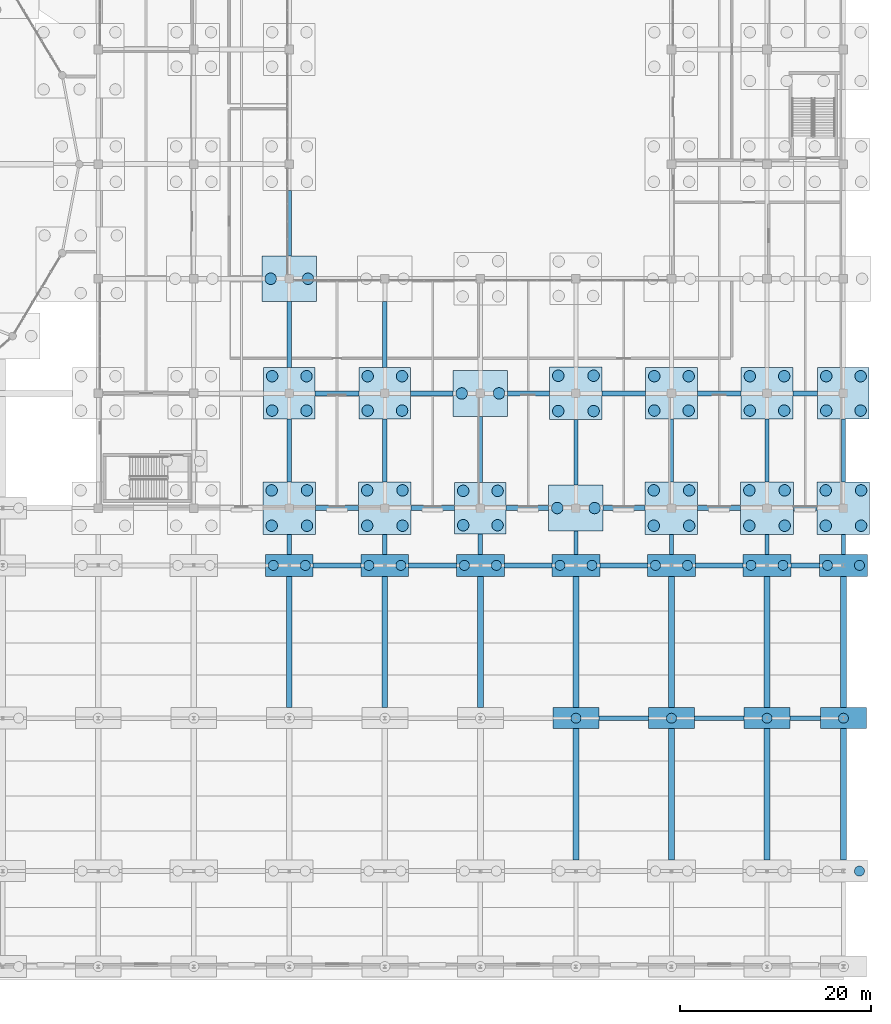
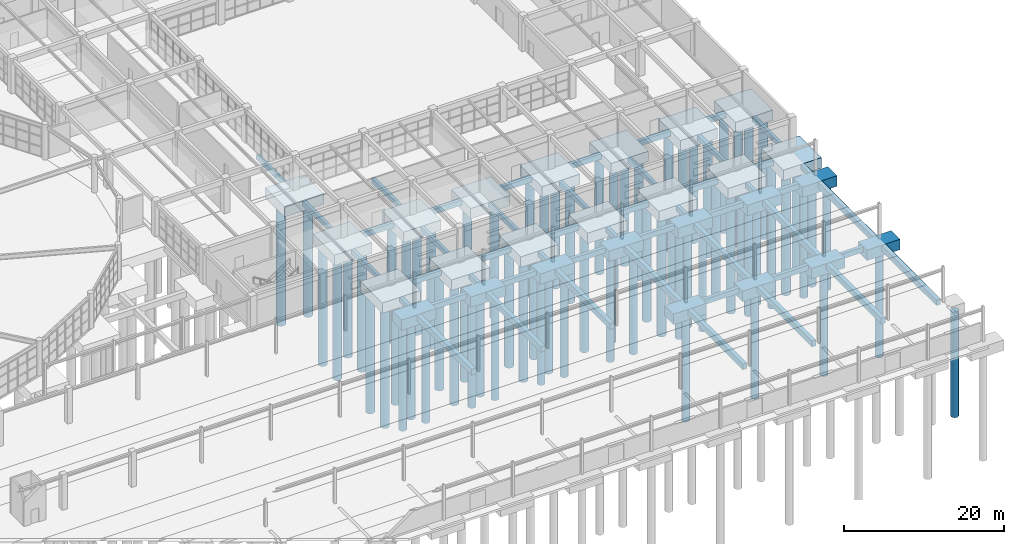
# One storey, part 6 of 99: 75 footings, 73 piles.
"""IFC4 building model written with IfcOpenShell, lengths in metres."""

from ifc_helpers import new_model, si_unit, direction, frame, origin, origin_2d, place, context, subcontext, project, spatial, rectangle, circle, extrude, material, material_profile, profile_set, type_object, element, save


model = new_model("IFC4")

# Units and contexts
model_context = context("Model", 3, precision=1e-05, world=origin(), true_north=direction((0.0, 1.0)))
body_context = subcontext(model_context, "Body", "Model", "MODEL_VIEW")
ifc_project = project(units=[si_unit("LENGTHUNIT", "METRE"), si_unit("AREAUNIT", "SQUARE_METRE"), si_unit("VOLUMEUNIT", "CUBIC_METRE"), si_unit("PLANEANGLEUNIT", "RADIAN"), si_unit("MASSUNIT", "GRAM", prefix="KILO")], contexts=[model_context])

# Site, building, storey
site_placement = place(None, origin())
site = spatial("IfcSite", under=ifc_project, at=site_placement, CompositionType="ELEMENT")
building_placement = place(site_placement, origin())
building = spatial("IfcBuilding", under=site, at=building_placement, Name="Kivolera Central Railway Station", CompositionType="ELEMENT")
storey_placement = place(building_placement, origin())
storey = spatial("IfcBuildingStorey", under=building, at=storey_placement, Name="L00", CompositionType="ELEMENT", Elevation=0.0)

# Footings
ifc_material = material(Name="Concrete C35/45", Category="concrete")
footing_type_1 = type_object("IfcFootingType", Name="FB-450x750", PredefinedType="FOOTING_BEAM", material=ifc_material)
footing_1_placement = place(storey_placement, frame((138.0, 50.199951171875, -1.10009765625), z_axis=(0.0, 0.0, 1.0), x_axis=(1.0, 0.0, 0.0)))
element("IfcFooting", 1, at=footing_1_placement, inside=storey, type_object=footing_type_1, Name="Foundation Tie Beam FDN-FBY-240", PredefinedType="FOOTING_BEAM", context=body_context, shape_type="SweptSolid", body=[
    extrude(rectangle(XDim=0.449951171875, YDim=2.10009765625, at=origin_2d()), origin(), (0.0, 0.0, 1.0), 0.75),
])
footing_2_placement = place(storey_placement, frame((138.0, 60.02490234375, -1.10009765625), z_axis=(0.0, 0.0, 1.0), x_axis=(1.0, 0.0, 0.0)))
element("IfcFooting", 2, at=footing_2_placement, inside=storey, type_object=footing_type_1, Name="Foundation Tie Beam FDN-FBY-241", PredefinedType="FOOTING_BEAM", context=body_context, shape_type="SweptSolid", body=[
    extrude(rectangle(XDim=0.449951171875, YDim=6.550048828125, at=origin_2d()), origin(), (0.0, 0.0, 1.0), 0.75),
])
footing_3_placement = place(storey_placement, frame((138.0, 72.14990234375, -1.10009765625), z_axis=(0.0, 0.0, 1.0), x_axis=(1.0, 0.0, 0.0)))
element("IfcFooting", 3, at=footing_3_placement, inside=storey, type_object=footing_type_1, Name="Foundation Tie Beam FDN-FBY-242", PredefinedType="FOOTING_BEAM", context=body_context, shape_type="SweptSolid", body=[
    extrude(rectangle(XDim=0.449951171875, YDim=6.89990234375, at=origin_2d()), origin(), (0.0, 0.0, 1.0), 0.75),
])
footing_4_placement = place(storey_placement, frame((138.0, 83.824951171875, -1.10009765625), z_axis=(0.0, 0.0, 1.0), x_axis=(1.0, 0.0, 0.0)))
element("IfcFooting", 4, at=footing_4_placement, inside=storey, type_object=footing_type_1, Name="Foundation Tie Beam FDN-FBY-243", PredefinedType="FOOTING_BEAM", context=body_context, shape_type="SweptSolid", body=[
    extrude(rectangle(XDim=0.449951171875, YDim=6.85009765625, at=origin_2d()), origin(), (0.0, 0.0, 1.0), 0.75),
])
footing_5_placement = place(storey_placement, frame((148.0, 50.199951171875, -1.10009765625), z_axis=(0.0, 0.0, 1.0), x_axis=(1.0, 0.0, 0.0)))
element("IfcFooting", 5, at=footing_5_placement, inside=storey, type_object=footing_type_1, Name="Foundation Tie Beam FDN-FBY-251", PredefinedType="FOOTING_BEAM", context=body_context, shape_type="SweptSolid", body=[
    extrude(rectangle(XDim=0.449951171875, YDim=2.10009765625, at=origin_2d()), origin(), (0.0, 0.0, 1.0), 0.75),
])
footing_6_placement = place(storey_placement, frame((148.0, 60.02490234375, -1.10009765625), z_axis=(0.0, 0.0, 1.0), x_axis=(1.0, 0.0, 0.0)))
element("IfcFooting", 6, at=footing_6_placement, inside=storey, type_object=footing_type_1, Name="Foundation Tie Beam FDN-FBY-252", PredefinedType="FOOTING_BEAM", context=body_context, shape_type="SweptSolid", body=[
    extrude(rectangle(XDim=0.449951171875, YDim=6.550048828125, at=origin_2d()), origin(), (0.0, 0.0, 1.0), 0.75),
])
footing_7_placement = place(storey_placement, frame((148.0, 72.14990234375, -1.10009765625), z_axis=(0.0, 0.0, 1.0), x_axis=(1.0, 0.0, 0.0)))
element("IfcFooting", 7, at=footing_7_placement, inside=storey, type_object=footing_type_1, Name="Foundation Tie Beam FDN-FBY-253", PredefinedType="FOOTING_BEAM", context=body_context, shape_type="SweptSolid", body=[
    extrude(rectangle(XDim=0.449951171875, YDim=6.89990234375, at=origin_2d()), origin(), (0.0, 0.0, 1.0), 0.75),
])
footing_8_placement = place(storey_placement, frame((158.0, 50.22509765625, -1.10009765625), z_axis=(0.0, 0.0, 1.0), x_axis=(1.0, 0.0, 0.0)))
element("IfcFooting", 8, at=footing_8_placement, inside=storey, type_object=footing_type_1, Name="Foundation Tie Beam FDN-FBY-259", PredefinedType="FOOTING_BEAM", context=body_context, shape_type="SweptSolid", body=[
    extrude(rectangle(XDim=0.449951171875, YDim=2.14990234375, at=origin_2d()), origin(), (0.0, 0.0, 1.0), 0.75),
])
footing_9_placement = place(storey_placement, frame((158.0, 60.14990234375, -1.10009765625), z_axis=(0.0, 0.0, 1.0), x_axis=(1.0, 0.0, 0.0)))
element("IfcFooting", 9, at=footing_9_placement, inside=storey, type_object=footing_type_1, Name="Foundation Tie Beam FDN-FBY-260", PredefinedType="FOOTING_BEAM", context=body_context, shape_type="SweptSolid", body=[
    extrude(rectangle(XDim=0.449951171875, YDim=6.89990234375, at=origin_2d()), origin(), (0.0, 0.0, 1.0), 0.75),
])
footing_10_placement = place(storey_placement, frame((168.0, 50.375, -1.10009765625), z_axis=(0.0, 0.0, 1.0), x_axis=(1.0, 0.0, 0.0)))
element("IfcFooting", 10, at=footing_10_placement, inside=storey, type_object=footing_type_1, Name="Foundation Tie Beam FDN-FBY-267", PredefinedType="FOOTING_BEAM", context=body_context, shape_type="SweptSolid", body=[
    extrude(rectangle(XDim=0.449951171875, YDim=2.449951171875, at=origin_2d()), origin(), (0.0, 0.0, 1.0), 0.75),
])
footing_11_placement = place(storey_placement, frame((168.0, 59.824951171875, -1.10009765625), z_axis=(0.0, 0.0, 1.0), x_axis=(1.0, 0.0, 0.0)))
element("IfcFooting", 11, at=footing_11_placement, inside=storey, type_object=footing_type_1, Name="Foundation Tie Beam FDN-FBY-268", PredefinedType="FOOTING_BEAM", context=body_context, shape_type="SweptSolid", body=[
    extrude(rectangle(XDim=0.449951171875, YDim=6.85009765625, at=origin_2d()), origin(), (0.0, 0.0, 1.0), 0.75),
])
footing_12_placement = place(storey_placement, frame((178.0, 50.199951171875, -1.10009765625), z_axis=(0.0, 0.0, 1.0), x_axis=(1.0, 0.0, 0.0)))
element("IfcFooting", 12, at=footing_12_placement, inside=storey, type_object=footing_type_1, Name="Foundation Tie Beam FDN-FBY-275", PredefinedType="FOOTING_BEAM", context=body_context, shape_type="SweptSolid", body=[
    extrude(rectangle(XDim=0.449951171875, YDim=2.10009765625, at=origin_2d()), origin(), (0.0, 0.0, 1.0), 0.75),
])
footing_13_placement = place(storey_placement, frame((178.0, 60.02490234375, -1.10009765625), z_axis=(0.0, 0.0, 1.0), x_axis=(1.0, 0.0, 0.0)))
element("IfcFooting", 13, at=footing_13_placement, inside=storey, type_object=footing_type_1, Name="Foundation Tie Beam FDN-FBY-276", PredefinedType="FOOTING_BEAM", context=body_context, shape_type="SweptSolid", body=[
    extrude(rectangle(XDim=0.449951171875, YDim=6.550048828125, at=origin_2d()), origin(), (0.0, 0.0, 1.0), 0.75),
])
footing_14_placement = place(storey_placement, frame((188.0, 50.199951171875, -1.10009765625), z_axis=(0.0, 0.0, 1.0), x_axis=(1.0, 0.0, 0.0)))
element("IfcFooting", 14, at=footing_14_placement, inside=storey, type_object=footing_type_1, Name="Foundation Tie Beam FDN-FBY-285", PredefinedType="FOOTING_BEAM", context=body_context, shape_type="SweptSolid", body=[
    extrude(rectangle(XDim=0.449951171875, YDim=2.10009765625, at=origin_2d()), origin(), (0.0, 0.0, 1.0), 0.75),
])
footing_15_placement = place(storey_placement, frame((188.0, 60.02490234375, -1.10009765625), z_axis=(0.0, 0.0, 1.0), x_axis=(1.0, 0.0, 0.0)))
element("IfcFooting", 15, at=footing_15_placement, inside=storey, type_object=footing_type_1, Name="Foundation Tie Beam FDN-FBY-286", PredefinedType="FOOTING_BEAM", context=body_context, shape_type="SweptSolid", body=[
    extrude(rectangle(XDim=0.449951171875, YDim=6.550048828125, at=origin_2d()), origin(), (0.0, 0.0, 1.0), 0.75),
])
footing_16_placement = place(storey_placement, frame((196.0, 50.199951171875, -1.10009765625), z_axis=(0.0, 0.0, 1.0), x_axis=(1.0, 0.0, 0.0)))
element("IfcFooting", 16, at=footing_16_placement, inside=storey, type_object=footing_type_1, Name="Foundation Tie Beam FDN-FBY-296", PredefinedType="FOOTING_BEAM", context=body_context, shape_type="SweptSolid", body=[
    extrude(rectangle(XDim=0.449951171875, YDim=2.10009765625, at=origin_2d()), origin(), (0.0, 0.0, 1.0), 0.75),
])
footing_17_placement = place(storey_placement, frame((196.0, 60.02490234375, -1.10009765625), z_axis=(0.0, 0.0, 1.0), x_axis=(1.0, 0.0, 0.0)))
element("IfcFooting", 17, at=footing_17_placement, inside=storey, type_object=footing_type_1, Name="Foundation Tie Beam FDN-FBY-297", PredefinedType="FOOTING_BEAM", context=body_context, shape_type="SweptSolid", body=[
    extrude(rectangle(XDim=0.449951171875, YDim=6.550048828125, at=origin_2d()), origin(), (0.0, 0.0, 1.0), 0.75),
])
footing_type_2 = type_object("IfcFootingType", Name="FB-500x800", PredefinedType="FOOTING_BEAM", material=ifc_material)
for number, where, z_axis, x_axis, name in (
    (18, (173.0, 32.0, -1.16015625), (0.0, 0.0, 1.0), (1.0, 0.0, 0.0), "Foundation Tie Beam FDN-FBX-053"),
    (19, (183.0, 32.0, -1.16015625), (0.0, 0.0, 1.0), (1.0, 0.0, 0.0), "Foundation Tie Beam FDN-FBX-054"),
):
    element("IfcFooting", number, at=place(storey_placement, frame(where, z_axis=z_axis, x_axis=x_axis)), inside=storey, type_object=footing_type_2, Name=name, PredefinedType="FOOTING_BEAM", context=body_context, shape_type="SweptSolid", body=[
        extrude(rectangle(XDim=5.199951171875, YDim=0.5, at=origin_2d()), origin(), (0.0, 0.0, 1.0), 0.800048828125),
    ])
footing_18_placement = place(storey_placement, frame((192.0, 32.0, -1.16015625), z_axis=(0.0, 0.0, 1.0), x_axis=(1.0, 0.0, 0.0)))
element("IfcFooting", 20, at=footing_18_placement, inside=storey, type_object=footing_type_2, Name="Foundation Tie Beam FDN-FBX-055", PredefinedType="FOOTING_BEAM", context=body_context, shape_type="SweptSolid", body=[
    extrude(rectangle(XDim=3.199951171875, YDim=0.5, at=origin_2d()), origin(), (0.0, 0.0, 1.0), 0.800048828125),
])
for number, where, z_axis, x_axis, name in (
    (21, (143.0, 48.0, -1.16015625), (0.0, 0.0, 1.0), (1.0, 0.0, 0.0), "Foundation Tie Beam FDN-FBX-069"),
    (22, (153.0, 48.0, -1.16015625), (0.0, 0.0, 1.0), (1.0, 0.0, 0.0), "Foundation Tie Beam FDN-FBX-070"),
    (23, (163.0, 48.0, -1.16015625), (0.0, 0.0, 1.0), (1.0, 0.0, 0.0), "Foundation Tie Beam FDN-FBX-071"),
    (24, (173.0, 48.0, -1.16015625), (0.0, 0.0, 1.0), (1.0, 0.0, 0.0), "Foundation Tie Beam FDN-FBX-072"),
    (25, (183.0, 48.0, -1.16015625), (0.0, 0.0, 1.0), (1.0, 0.0, 0.0), "Foundation Tie Beam FDN-FBX-073"),
):
    element("IfcFooting", number, at=place(storey_placement, frame(where, z_axis=z_axis, x_axis=x_axis)), inside=storey, type_object=footing_type_2, Name=name, PredefinedType="FOOTING_BEAM", context=body_context, shape_type="SweptSolid", body=[
        extrude(rectangle(XDim=5.0, YDim=0.5, at=origin_2d()), origin(), (0.0, 0.0, 1.0), 0.800048828125),
    ])
footing_19_placement = place(storey_placement, frame((192.0, 48.0, -1.16015625), z_axis=(0.0, 0.0, 1.0), x_axis=(1.0, 0.0, 0.0)))
element("IfcFooting", 26, at=footing_19_placement, inside=storey, type_object=footing_type_2, Name="Foundation Tie Beam FDN-FBX-074", PredefinedType="FOOTING_BEAM", context=body_context, shape_type="SweptSolid", body=[
    extrude(rectangle(XDim=3.0, YDim=0.5, at=origin_2d()), origin(), (0.0, 0.0, 1.0), 0.800048828125),
])
footing_20_placement = place(storey_placement, frame((143.0, 54.0, -1.14990234375), z_axis=(0.0, 0.0, 1.0), x_axis=(1.0, 0.0, 0.0)))
element("IfcFooting", 27, at=footing_20_placement, inside=storey, type_object=footing_type_2, Name="Foundation Tie Beam FDN-FBX-088", PredefinedType="FOOTING_BEAM", context=body_context, shape_type="SweptSolid", body=[
    extrude(rectangle(XDim=4.5, YDim=0.5, at=origin_2d()), origin(), (0.0, 0.0, 1.0), 0.800048828125),
])
footing_21_placement = place(storey_placement, frame((153.02490234375, 54.0, -1.14990234375), z_axis=(0.0, 0.0, 1.0), x_axis=(1.0, 0.0, 0.0)))
element("IfcFooting", 28, at=footing_21_placement, inside=storey, type_object=footing_type_2, Name="Foundation Tie Beam FDN-FBX-089", PredefinedType="FOOTING_BEAM", context=body_context, shape_type="SweptSolid", body=[
    extrude(rectangle(XDim=4.550048828125, YDim=0.5, at=origin_2d()), origin(), (0.0, 0.0, 1.0), 0.800048828125),
])
footing_22_placement = place(storey_placement, frame((162.925048828125, 54.0, -1.14990234375), z_axis=(0.0, 0.0, 1.0), x_axis=(1.0, 0.0, 0.0)))
element("IfcFooting", 29, at=footing_22_placement, inside=storey, type_object=footing_type_2, Name="Foundation Tie Beam FDN-FBX-090", PredefinedType="FOOTING_BEAM", context=body_context, shape_type="SweptSolid", body=[
    extrude(rectangle(XDim=4.449951171875, YDim=0.5, at=origin_2d()), origin(), (0.0, 0.0, 1.0), 0.800048828125),
])
footing_23_placement = place(storey_placement, frame((173.050048828125, 54.0, -1.14990234375), z_axis=(0.0, 0.0, 1.0), x_axis=(1.0, 0.0, 0.0)))
element("IfcFooting", 30, at=footing_23_placement, inside=storey, type_object=footing_type_2, Name="Foundation Tie Beam FDN-FBX-091", PredefinedType="FOOTING_BEAM", context=body_context, shape_type="SweptSolid", body=[
    extrude(rectangle(XDim=4.39990234375, YDim=0.5, at=origin_2d()), origin(), (0.0, 0.0, 1.0), 0.800048828125),
])
footing_24_placement = place(storey_placement, frame((183.0, 54.0, -1.14990234375), z_axis=(0.0, 0.0, 1.0), x_axis=(1.0, 0.0, 0.0)))
element("IfcFooting", 31, at=footing_24_placement, inside=storey, type_object=footing_type_2, Name="Foundation Tie Beam FDN-FBX-092", PredefinedType="FOOTING_BEAM", context=body_context, shape_type="SweptSolid", body=[
    extrude(rectangle(XDim=4.5, YDim=0.5, at=origin_2d()), origin(), (0.0, 0.0, 1.0), 0.800048828125),
])
footing_25_placement = place(storey_placement, frame((192.0, 54.0, -1.14990234375), z_axis=(0.0, 0.0, 1.0), x_axis=(1.0, 0.0, 0.0)))
element("IfcFooting", 32, at=footing_25_placement, inside=storey, type_object=footing_type_2, Name="Foundation Tie Beam FDN-FBX-093", PredefinedType="FOOTING_BEAM", context=body_context, shape_type="SweptSolid", body=[
    extrude(rectangle(XDim=2.5, YDim=0.5, at=origin_2d()), origin(), (0.0, 0.0, 1.0), 0.800048828125),
])
footing_26_placement = place(storey_placement, frame((143.0, 66.0, -1.14990234375), z_axis=(0.0, 0.0, 1.0), x_axis=(1.0, 0.0, 0.0)))
element("IfcFooting", 33, at=footing_26_placement, inside=storey, type_object=footing_type_2, Name="Foundation Tie Beam FDN-FBX-097", PredefinedType="FOOTING_BEAM", context=body_context, shape_type="SweptSolid", body=[
    extrude(rectangle(XDim=4.60009765625, YDim=0.5, at=origin_2d()), origin(), (0.0, 0.0, 1.0), 0.800048828125),
])
footing_27_placement = place(storey_placement, frame((152.925048828125, 66.0, -1.14990234375), z_axis=(0.0, 0.0, 1.0), x_axis=(1.0, 0.0, 0.0)))
element("IfcFooting", 34, at=footing_27_placement, inside=storey, type_object=footing_type_2, Name="Foundation Tie Beam FDN-FBX-098", PredefinedType="FOOTING_BEAM", context=body_context, shape_type="SweptSolid", body=[
    extrude(rectangle(XDim=4.449951171875, YDim=0.5, at=origin_2d()), origin(), (0.0, 0.0, 1.0), 0.800048828125),
])
footing_28_placement = place(storey_placement, frame((163.050048828125, 66.0, -1.14990234375), z_axis=(0.0, 0.0, 1.0), x_axis=(1.0, 0.0, 0.0)))
element("IfcFooting", 35, at=footing_28_placement, inside=storey, type_object=footing_type_2, Name="Foundation Tie Beam FDN-FBX-099", PredefinedType="FOOTING_BEAM", context=body_context, shape_type="SweptSolid", body=[
    extrude(rectangle(XDim=4.39990234375, YDim=0.5, at=origin_2d()), origin(), (0.0, 0.0, 1.0), 0.800048828125),
])
footing_29_placement = place(storey_placement, frame((173.02490234375, 66.0, -1.14990234375), z_axis=(0.0, 0.0, 1.0), x_axis=(1.0, 0.0, 0.0)))
element("IfcFooting", 36, at=footing_29_placement, inside=storey, type_object=footing_type_2, Name="Foundation Tie Beam FDN-FBX-100", PredefinedType="FOOTING_BEAM", context=body_context, shape_type="SweptSolid", body=[
    extrude(rectangle(XDim=4.550048828125, YDim=0.5, at=origin_2d()), origin(), (0.0, 0.0, 1.0), 0.800048828125),
])
footing_30_placement = place(storey_placement, frame((183.0, 66.0, -1.14990234375), z_axis=(0.0, 0.0, 1.0), x_axis=(1.0, 0.0, 0.0)))
element("IfcFooting", 37, at=footing_30_placement, inside=storey, type_object=footing_type_2, Name="Foundation Tie Beam FDN-FBX-101", PredefinedType="FOOTING_BEAM", context=body_context, shape_type="SweptSolid", body=[
    extrude(rectangle(XDim=4.60009765625, YDim=0.5, at=origin_2d()), origin(), (0.0, 0.0, 1.0), 0.800048828125),
])
footing_31_placement = place(storey_placement, frame((192.0, 66.0, -1.14990234375), z_axis=(0.0, 0.0, 1.0), x_axis=(1.0, 0.0, 0.0)))
element("IfcFooting", 38, at=footing_31_placement, inside=storey, type_object=footing_type_2, Name="Foundation Tie Beam FDN-FBX-102", PredefinedType="FOOTING_BEAM", context=body_context, shape_type="SweptSolid", body=[
    extrude(rectangle(XDim=2.60009765625, YDim=0.5, at=origin_2d()), origin(), (0.0, 0.0, 1.0), 0.800048828125),
])
footing_type_3 = type_object("IfcFootingType", Name="FB-600x900", PredefinedType="FOOTING_BEAM", material=ifc_material)
for number, where, z_axis, x_axis, name in (
    (39, (138.0, 39.97509765625, -1.260009765625), (0.0, 0.0, 1.0), (1.0, 0.0, 0.0), "Foundation Tie Beam FDN-FBY-239"),
    (40, (148.0, 39.97509765625, -1.260009765625), (0.0, 0.0, 1.0), (1.0, 0.0, 0.0), "Foundation Tie Beam FDN-FBY-250"),
    (41, (158.0, 39.97509765625, -1.260009765625), (0.0, 0.0, 1.0), (1.0, 0.0, 0.0), "Foundation Tie Beam FDN-FBY-258"),
    (42, (168.0, 24.02490234375, -1.260009765625), (0.0, 0.0, 1.0), (1.0, 0.0, 0.0), "Foundation Tie Beam FDN-FBY-265"),
    (43, (168.0, 39.97509765625, -1.260009765625), (0.0, 0.0, 1.0), (1.0, 0.0, 0.0), "Foundation Tie Beam FDN-FBY-266"),
    (44, (178.0, 24.02490234375, -1.260009765625), (0.0, 0.0, 1.0), (1.0, 0.0, 0.0), "Foundation Tie Beam FDN-FBY-273"),
    (45, (178.0, 39.97509765625, -1.260009765625), (0.0, 0.0, 1.0), (1.0, 0.0, 0.0), "Foundation Tie Beam FDN-FBY-274"),
    (46, (188.0, 24.02490234375, -1.260009765625), (0.0, 0.0, 1.0), (1.0, 0.0, 0.0), "Foundation Tie Beam FDN-FBY-283"),
    (47, (188.0, 39.97509765625, -1.260009765625), (0.0, 0.0, 1.0), (1.0, 0.0, 0.0), "Foundation Tie Beam FDN-FBY-284"),
    (48, (196.0, 24.02490234375, -1.260009765625), (0.0, 0.0, 1.0), (1.0, 0.0, 0.0), "Foundation Tie Beam FDN-FBY-294"),
    (49, (196.0, 39.97509765625, -1.260009765625), (0.0, 0.0, 1.0), (1.0, 0.0, 0.0), "Foundation Tie Beam FDN-FBY-295"),
):
    element("IfcFooting", number, at=place(storey_placement, frame(where, z_axis=z_axis, x_axis=x_axis)), inside=storey, type_object=footing_type_3, Name=name, PredefinedType="FOOTING_BEAM", context=body_context, shape_type="SweptSolid", body=[
        extrude(rectangle(XDim=0.60009765625, YDim=13.75, at=origin_2d()), origin(), (0.0, 0.0, 1.0), 0.89990234375),
    ])
footing_type_4 = type_object("IfcFootingType", Name="PC-4800x2200", PredefinedType="PILE_CAP", material=ifc_material)
for number, where, z_axis, x_axis, name in (
    (50, (168.0, 32.0, -1.9599609375), (0.0, 0.0, 1.0), (1.0, 0.0, 0.0), "Pile Cap FDN-PC-151"),
    (51, (178.0, 32.0, -1.9599609375), (0.0, 0.0, 1.0), (1.0, 0.0, 0.0), "Pile Cap FDN-PC-155"),
    (52, (188.0, 32.0, -1.9599609375), (0.0, 0.0, 1.0), (1.0, 0.0, 0.0), "Pile Cap FDN-PC-159"),
    (53, (196.0, 32.0, -1.9599609375), (0.0, 0.0, 1.0), (1.0, 0.0, 0.0), "Pile Cap FDN-PC-163"),
):
    element("IfcFooting", number, at=place(storey_placement, frame(where, z_axis=z_axis, x_axis=x_axis)), inside=storey, type_object=footing_type_4, Name=name, PredefinedType="PILE_CAP", context=body_context, shape_type="SweptSolid", body=[
        extrude(rectangle(XDim=4.800048828125, YDim=2.199951171875, at=origin_2d()), origin(), (0.0, 0.0, 1.0), 1.60009765625),
    ])
footing_type_5 = type_object("IfcFootingType", Name="PC-5000x2300", PredefinedType="PILE_CAP", material=ifc_material)
for number, where, z_axis, x_axis, name in (
    (54, (138.0, 48.0, -1.9599609375), (0.0, 0.0, 1.0), (1.0, 0.0, 0.0), "Pile Cap FDN-PC-140"),
    (55, (148.0, 48.0, -1.9599609375), (0.0, 0.0, 1.0), (1.0, 0.0, 0.0), "Pile Cap FDN-PC-144"),
    (56, (158.0, 48.0, -1.9599609375), (0.0, 0.0, 1.0), (1.0, 0.0, 0.0), "Pile Cap FDN-PC-148"),
    (57, (168.0, 48.0, -1.9599609375), (0.0, 0.0, 1.0), (1.0, 0.0, 0.0), "Pile Cap FDN-PC-152"),
    (58, (178.0, 48.0, -1.9599609375), (0.0, 0.0, 1.0), (1.0, 0.0, 0.0), "Pile Cap FDN-PC-156"),
    (59, (188.0, 48.0, -1.9599609375), (0.0, 0.0, 1.0), (1.0, 0.0, 0.0), "Pile Cap FDN-PC-160"),
    (60, (196.0, 48.0, -1.9599609375), (0.0, 0.0, 1.0), (1.0, 0.0, 0.0), "Pile Cap FDN-PC-164"),
):
    element("IfcFooting", number, at=place(storey_placement, frame(where, z_axis=z_axis, x_axis=x_axis)), inside=storey, type_object=footing_type_5, Name=name, PredefinedType="PILE_CAP", context=body_context, shape_type="SweptSolid", body=[
        extrude(rectangle(XDim=5.0, YDim=2.300048828125, at=origin_2d()), origin(), (0.0, 0.0, 1.0), 1.60009765625),
    ])
footing_type_6 = type_object("IfcFootingType", Name="PC-5400x5400", PredefinedType="PILE_CAP", material=ifc_material)
for number, where, z_axis, x_axis, name in (
    (61, (138.0, 66.0, -1.949951171875), (0.0, 0.0, 1.0), (1.0, 0.0, 0.0), "Pile Cap FDN-PC-019"),
    (62, (148.0, 66.0, -1.949951171875), (0.0, 0.0, 1.0), (1.0, 0.0, 0.0), "Pile Cap FDN-PC-026"),
    (63, (158.0, 54.0, -1.949951171875), (0.0, 0.0, 1.0), (1.0, 0.0, 0.0), "Pile Cap FDN-PC-032"),
    (64, (178.0, 66.0, -1.949951171875), (0.0, 0.0, 1.0), (1.0, 0.0, 0.0), "Pile Cap FDN-PC-044"),
    (65, (188.0, 66.0, -1.949951171875), (0.0, 0.0, 1.0), (1.0, 0.0, 0.0), "Pile Cap FDN-PC-053"),
    (66, (196.0, 66.0, -1.949951171875), (0.0, 0.0, 1.0), (1.0, 0.0, 0.0), "Pile Cap FDN-PC-061"),
):
    element("IfcFooting", number, at=place(storey_placement, frame(where, z_axis=z_axis, x_axis=x_axis)), inside=storey, type_object=footing_type_6, Name=name, PredefinedType="PILE_CAP", context=body_context, shape_type="SweptSolid", body=[
        extrude(rectangle(XDim=5.39990234375, YDim=5.39990234375, at=origin_2d()), origin(), (0.0, 0.0, 1.0), 1.60009765625),
    ])
footing_type_7 = type_object("IfcFootingType", Name="PC-5500x5500", PredefinedType="PILE_CAP", material=ifc_material)
for number, where, z_axis, x_axis, name in (
    (67, (138.0, 54.0, -1.949951171875), (0.0, 0.0, 1.0), (1.0, 0.0, 0.0), "Pile Cap FDN-PC-018"),
    (68, (148.0, 54.0, -1.949951171875), (0.0, 0.0, 1.0), (1.0, 0.0, 0.0), "Pile Cap FDN-PC-025"),
    (69, (168.0, 66.0, -1.949951171875), (0.0, 0.0, 1.0), (1.0, 0.0, 0.0), "Pile Cap FDN-PC-039"),
    (70, (178.0, 54.0, -1.949951171875), (0.0, 0.0, 1.0), (1.0, 0.0, 0.0), "Pile Cap FDN-PC-043"),
    (71, (188.0, 54.0, -1.949951171875), (0.0, 0.0, 1.0), (1.0, 0.0, 0.0), "Pile Cap FDN-PC-052"),
    (72, (196.0, 54.0, -1.949951171875), (0.0, 0.0, 1.0), (1.0, 0.0, 0.0), "Pile Cap FDN-PC-060"),
):
    element("IfcFooting", number, at=place(storey_placement, frame(where, z_axis=z_axis, x_axis=x_axis)), inside=storey, type_object=footing_type_7, Name=name, PredefinedType="PILE_CAP", context=body_context, shape_type="SweptSolid", body=[
        extrude(rectangle(XDim=5.5, YDim=5.5, at=origin_2d()), origin(), (0.0, 0.0, 1.0), 1.60009765625),
    ])
footing_type_8 = type_object("IfcFootingType", Name="PC-5700x4800", PredefinedType="PILE_CAP", material=ifc_material)
for number, where, z_axis, x_axis, name in (
    (73, (138.0, 78.0, -1.949951171875), (0.0, 0.0, 1.0), (1.0, 0.0, 0.0), "Pile Cap FDN-PC-020"),
    (74, (158.0, 66.0, -1.949951171875), (0.0, 0.0, 1.0), (1.0, 0.0, 0.0), "Pile Cap FDN-PC-033"),
    (75, (168.0, 54.0, -1.949951171875), (0.0, 0.0, 1.0), (1.0, 0.0, 0.0), "Pile Cap FDN-PC-038"),
):
    element("IfcFooting", number, at=place(storey_placement, frame(where, z_axis=z_axis, x_axis=x_axis)), inside=storey, type_object=footing_type_8, Name=name, PredefinedType="PILE_CAP", context=body_context, shape_type="SweptSolid", body=[
        extrude(rectangle(XDim=5.699951171875, YDim=4.800048828125, at=origin_2d()), origin(), (0.0, 0.0, 1.0), 1.60009765625),
    ])

# Piles
ifc_material_profile_1 = material_profile(ifc_material, circle(Radius=0.52490234375, at=origin_2d()), Name="PILE D1050")
ifc_profile_set_1 = profile_set([ifc_material_profile_1], Name="Concrete C35/45")
pile_type_1 = type_object("IfcPileType", Name="PILE-1050", PredefinedType="BORED", material=ifc_profile_set_1)
for number, where, z_axis, x_axis, name in (
    (76, (136.324951171875, 48.0, -1.860107421875), (0.0, 0.0, -1.0), (1.0, 0.0, 0.0), "Bored Pile FDN-PC-140-P01"),
    (77, (139.675048828125, 48.0, -1.860107421875), (0.0, 0.0, -1.0), (1.0, 0.0, 0.0), "Bored Pile FDN-PC-140-P02"),
    (78, (146.324951171875, 48.0, -1.860107421875), (0.0, 0.0, -1.0), (1.0, 0.0, 0.0), "Bored Pile FDN-PC-144-P01"),
    (79, (149.675048828125, 48.0, -1.860107421875), (0.0, 0.0, -1.0), (1.0, 0.0, 0.0), "Bored Pile FDN-PC-144-P02"),
    (80, (156.324951171875, 48.0, -1.860107421875), (0.0, 0.0, -1.0), (1.0, 0.0, 0.0), "Bored Pile FDN-PC-148-P01"),
    (81, (159.675048828125, 48.0, -1.860107421875), (0.0, 0.0, -1.0), (1.0, 0.0, 0.0), "Bored Pile FDN-PC-148-P02"),
    (82, (168.0, 32.0, -1.860107421875), (0.0, 0.0, -1.0), (1.0, 0.0, 0.0), "Bored Pile FDN-PC-151-P01"),
    (83, (166.324951171875, 48.0, -1.860107421875), (0.0, 0.0, -1.0), (1.0, 0.0, 0.0), "Bored Pile FDN-PC-152-P01"),
    (84, (169.675048828125, 48.0, -1.860107421875), (0.0, 0.0, -1.0), (1.0, 0.0, 0.0), "Bored Pile FDN-PC-152-P02"),
    (85, (178.0, 32.0, -1.860107421875), (0.0, 0.0, -1.0), (1.0, 0.0, 0.0), "Bored Pile FDN-PC-155-P01"),
    (86, (176.324951171875, 48.0, -1.860107421875), (0.0, 0.0, -1.0), (1.0, 0.0, 0.0), "Bored Pile FDN-PC-156-P01"),
    (87, (179.675048828125, 48.0, -1.860107421875), (0.0, 0.0, -1.0), (1.0, 0.0, 0.0), "Bored Pile FDN-PC-156-P02"),
    (88, (188.0, 32.0, -1.860107421875), (0.0, 0.0, -1.0), (1.0, 0.0, 0.0), "Bored Pile FDN-PC-159-P01"),
    (89, (186.324951171875, 48.0, -1.860107421875), (0.0, 0.0, -1.0), (1.0, 0.0, 0.0), "Bored Pile FDN-PC-160-P01"),
    (90, (189.675048828125, 48.0, -1.860107421875), (0.0, 0.0, -1.0), (1.0, 0.0, 0.0), "Bored Pile FDN-PC-160-P02"),
    (91, (197.675048828125, 16.0, -1.860107421875), (0.0, 0.0, -1.0), (1.0, 0.0, 0.0), "Bored Pile FDN-PC-162-P02"),
    (92, (196.0, 32.0, -1.860107421875), (0.0, 0.0, -1.0), (1.0, 0.0, 0.0), "Bored Pile FDN-PC-163-P01"),
    (93, (194.324951171875, 48.0, -1.860107421875), (0.0, 0.0, -1.0), (1.0, 0.0, 0.0), "Bored Pile FDN-PC-164-P01"),
    (94, (197.675048828125, 48.0, -1.860107421875), (0.0, 0.0, -1.0), (1.0, 0.0, 0.0), "Bored Pile FDN-PC-164-P02"),
):
    element("IfcPile", number, at=place(storey_placement, frame(where, z_axis=z_axis, x_axis=x_axis)), inside=storey, type_object=pile_type_1, Name=name, PredefinedType="BORED", context=body_context, shape_type="SweptSolid", body=[
        extrude(circle(Radius=0.52490234375, at=origin_2d()), origin(), (0.0, 0.0, 1.0), 16.139892578125),
    ])
ifc_material_profile_2 = material_profile(ifc_material, circle(Radius=0.60009765625, at=origin_2d()), Name="PILE D1200")
ifc_profile_set_2 = profile_set([ifc_material_profile_2], Name="Concrete C35/45")
pile_type_2 = type_object("IfcPileType", Name="PILE-1200", PredefinedType="BORED", material=ifc_profile_set_2)
for number, where, z_axis, x_axis, name in (
    (95, (136.14990234375, 52.14990234375, -1.85009765625), (0.0, 0.0, -1.0), (1.0, 0.0, 0.0), "Bored Pile FDN-PC-018-P01"),
    (96, (136.14990234375, 55.85009765625, -1.85009765625), (0.0, 0.0, -1.0), (1.0, 0.0, 0.0), "Bored Pile FDN-PC-018-P02"),
    (97, (139.85009765625, 52.14990234375, -1.85009765625), (0.0, 0.0, -1.0), (1.0, 0.0, 0.0), "Bored Pile FDN-PC-018-P03"),
    (98, (139.85009765625, 55.85009765625, -1.85009765625), (0.0, 0.0, -1.0), (1.0, 0.0, 0.0), "Bored Pile FDN-PC-018-P04"),
    (99, (136.199951171875, 64.199951171875, -1.85009765625), (0.0, 0.0, -1.0), (1.0, 0.0, 0.0), "Bored Pile FDN-PC-019-P01"),
    (100, (136.199951171875, 67.800048828125, -1.85009765625), (0.0, 0.0, -1.0), (1.0, 0.0, 0.0), "Bored Pile FDN-PC-019-P02"),
    (101, (139.800048828125, 64.199951171875, -1.85009765625), (0.0, 0.0, -1.0), (1.0, 0.0, 0.0), "Bored Pile FDN-PC-019-P03"),
    (102, (139.800048828125, 67.800048828125, -1.85009765625), (0.0, 0.0, -1.0), (1.0, 0.0, 0.0), "Bored Pile FDN-PC-019-P04"),
    (103, (136.050048828125, 78.0, -1.85009765625), (0.0, 0.0, -1.0), (1.0, 0.0, 0.0), "Bored Pile FDN-PC-020-P01"),
    (104, (139.949951171875, 78.0, -1.85009765625), (0.0, 0.0, -1.0), (1.0, 0.0, 0.0), "Bored Pile FDN-PC-020-P02"),
    (105, (146.14990234375, 52.14990234375, -1.85009765625), (0.0, 0.0, -1.0), (1.0, 0.0, 0.0), "Bored Pile FDN-PC-025-P01"),
    (106, (146.14990234375, 55.85009765625, -1.85009765625), (0.0, 0.0, -1.0), (1.0, 0.0, 0.0), "Bored Pile FDN-PC-025-P02"),
    (107, (149.85009765625, 52.14990234375, -1.85009765625), (0.0, 0.0, -1.0), (1.0, 0.0, 0.0), "Bored Pile FDN-PC-025-P03"),
    (108, (149.85009765625, 55.85009765625, -1.85009765625), (0.0, 0.0, -1.0), (1.0, 0.0, 0.0), "Bored Pile FDN-PC-025-P04"),
    (109, (146.199951171875, 64.199951171875, -1.85009765625), (0.0, 0.0, -1.0), (1.0, 0.0, 0.0), "Bored Pile FDN-PC-026-P01"),
    (110, (146.199951171875, 67.800048828125, -1.85009765625), (0.0, 0.0, -1.0), (1.0, 0.0, 0.0), "Bored Pile FDN-PC-026-P02"),
    (111, (149.800048828125, 64.199951171875, -1.85009765625), (0.0, 0.0, -1.0), (1.0, 0.0, 0.0), "Bored Pile FDN-PC-026-P03"),
    (112, (149.800048828125, 67.800048828125, -1.85009765625), (0.0, 0.0, -1.0), (1.0, 0.0, 0.0), "Bored Pile FDN-PC-026-P04"),
    (113, (156.199951171875, 52.199951171875, -1.85009765625), (0.0, 0.0, -1.0), (1.0, 0.0, 0.0), "Bored Pile FDN-PC-032-P01"),
    (114, (156.199951171875, 55.800048828125, -1.85009765625), (0.0, 0.0, -1.0), (1.0, 0.0, 0.0), "Bored Pile FDN-PC-032-P02"),
    (115, (159.800048828125, 52.199951171875, -1.85009765625), (0.0, 0.0, -1.0), (1.0, 0.0, 0.0), "Bored Pile FDN-PC-032-P03"),
    (116, (159.800048828125, 55.800048828125, -1.85009765625), (0.0, 0.0, -1.0), (1.0, 0.0, 0.0), "Bored Pile FDN-PC-032-P04"),
    (117, (156.050048828125, 66.0, -1.85009765625), (0.0, 0.0, -1.0), (1.0, 0.0, 0.0), "Bored Pile FDN-PC-033-P01"),
    (118, (159.949951171875, 66.0, -1.85009765625), (0.0, 0.0, -1.0), (1.0, 0.0, 0.0), "Bored Pile FDN-PC-033-P02"),
    (119, (166.050048828125, 54.0, -1.85009765625), (0.0, 0.0, -1.0), (1.0, 0.0, 0.0), "Bored Pile FDN-PC-038-P01"),
    (120, (169.949951171875, 54.0, -1.85009765625), (0.0, 0.0, -1.0), (1.0, 0.0, 0.0), "Bored Pile FDN-PC-038-P02"),
    (121, (166.14990234375, 64.14990234375, -1.85009765625), (0.0, 0.0, -1.0), (1.0, 0.0, 0.0), "Bored Pile FDN-PC-039-P01"),
    (122, (166.14990234375, 67.85009765625, -1.85009765625), (0.0, 0.0, -1.0), (1.0, 0.0, 0.0), "Bored Pile FDN-PC-039-P02"),
    (123, (169.85009765625, 64.14990234375, -1.85009765625), (0.0, 0.0, -1.0), (1.0, 0.0, 0.0), "Bored Pile FDN-PC-039-P03"),
    (124, (169.85009765625, 67.85009765625, -1.85009765625), (0.0, 0.0, -1.0), (1.0, 0.0, 0.0), "Bored Pile FDN-PC-039-P04"),
    (125, (176.14990234375, 52.14990234375, -1.85009765625), (0.0, 0.0, -1.0), (1.0, 0.0, 0.0), "Bored Pile FDN-PC-043-P01"),
    (126, (176.14990234375, 55.85009765625, -1.85009765625), (0.0, 0.0, -1.0), (1.0, 0.0, 0.0), "Bored Pile FDN-PC-043-P02"),
    (127, (179.85009765625, 52.14990234375, -1.85009765625), (0.0, 0.0, -1.0), (1.0, 0.0, 0.0), "Bored Pile FDN-PC-043-P03"),
    (128, (179.85009765625, 55.85009765625, -1.85009765625), (0.0, 0.0, -1.0), (1.0, 0.0, 0.0), "Bored Pile FDN-PC-043-P04"),
    (129, (176.199951171875, 64.199951171875, -1.85009765625), (0.0, 0.0, -1.0), (1.0, 0.0, 0.0), "Bored Pile FDN-PC-044-P01"),
    (130, (176.199951171875, 67.800048828125, -1.85009765625), (0.0, 0.0, -1.0), (1.0, 0.0, 0.0), "Bored Pile FDN-PC-044-P02"),
    (131, (179.800048828125, 64.199951171875, -1.85009765625), (0.0, 0.0, -1.0), (1.0, 0.0, 0.0), "Bored Pile FDN-PC-044-P03"),
    (132, (179.800048828125, 67.800048828125, -1.85009765625), (0.0, 0.0, -1.0), (1.0, 0.0, 0.0), "Bored Pile FDN-PC-044-P04"),
    (133, (186.14990234375, 52.14990234375, -1.85009765625), (0.0, 0.0, -1.0), (1.0, 0.0, 0.0), "Bored Pile FDN-PC-052-P01"),
    (134, (186.14990234375, 55.85009765625, -1.85009765625), (0.0, 0.0, -1.0), (1.0, 0.0, 0.0), "Bored Pile FDN-PC-052-P02"),
    (135, (189.85009765625, 52.14990234375, -1.85009765625), (0.0, 0.0, -1.0), (1.0, 0.0, 0.0), "Bored Pile FDN-PC-052-P03"),
    (136, (189.85009765625, 55.85009765625, -1.85009765625), (0.0, 0.0, -1.0), (1.0, 0.0, 0.0), "Bored Pile FDN-PC-052-P04"),
    (137, (186.199951171875, 64.199951171875, -1.85009765625), (0.0, 0.0, -1.0), (1.0, 0.0, 0.0), "Bored Pile FDN-PC-053-P01"),
    (138, (186.199951171875, 67.800048828125, -1.85009765625), (0.0, 0.0, -1.0), (1.0, 0.0, 0.0), "Bored Pile FDN-PC-053-P02"),
    (139, (189.800048828125, 64.199951171875, -1.85009765625), (0.0, 0.0, -1.0), (1.0, 0.0, 0.0), "Bored Pile FDN-PC-053-P03"),
    (140, (189.800048828125, 67.800048828125, -1.85009765625), (0.0, 0.0, -1.0), (1.0, 0.0, 0.0), "Bored Pile FDN-PC-053-P04"),
    (141, (194.14990234375, 52.14990234375, -1.85009765625), (0.0, 0.0, -1.0), (1.0, 0.0, 0.0), "Bored Pile FDN-PC-060-P01"),
    (142, (194.14990234375, 55.85009765625, -1.85009765625), (0.0, 0.0, -1.0), (1.0, 0.0, 0.0), "Bored Pile FDN-PC-060-P02"),
    (143, (197.85009765625, 52.14990234375, -1.85009765625), (0.0, 0.0, -1.0), (1.0, 0.0, 0.0), "Bored Pile FDN-PC-060-P03"),
    (144, (197.85009765625, 55.85009765625, -1.85009765625), (0.0, 0.0, -1.0), (1.0, 0.0, 0.0), "Bored Pile FDN-PC-060-P04"),
    (145, (194.199951171875, 64.199951171875, -1.85009765625), (0.0, 0.0, -1.0), (1.0, 0.0, 0.0), "Bored Pile FDN-PC-061-P01"),
    (146, (194.199951171875, 67.800048828125, -1.85009765625), (0.0, 0.0, -1.0), (1.0, 0.0, 0.0), "Bored Pile FDN-PC-061-P02"),
    (147, (197.800048828125, 64.199951171875, -1.85009765625), (0.0, 0.0, -1.0), (1.0, 0.0, 0.0), "Bored Pile FDN-PC-061-P03"),
    (148, (197.800048828125, 67.800048828125, -1.85009765625), (0.0, 0.0, -1.0), (1.0, 0.0, 0.0), "Bored Pile FDN-PC-061-P04"),
):
    element("IfcPile", number, at=place(storey_placement, frame(where, z_axis=z_axis, x_axis=x_axis)), inside=storey, type_object=pile_type_2, Name=name, PredefinedType="BORED", context=body_context, shape_type="SweptSolid", body=[
        extrude(circle(Radius=0.60009765625, at=origin_2d()), origin(), (0.0, 0.0, 1.0), 18.14990234375),
    ])

save(model, "model.ifc")
